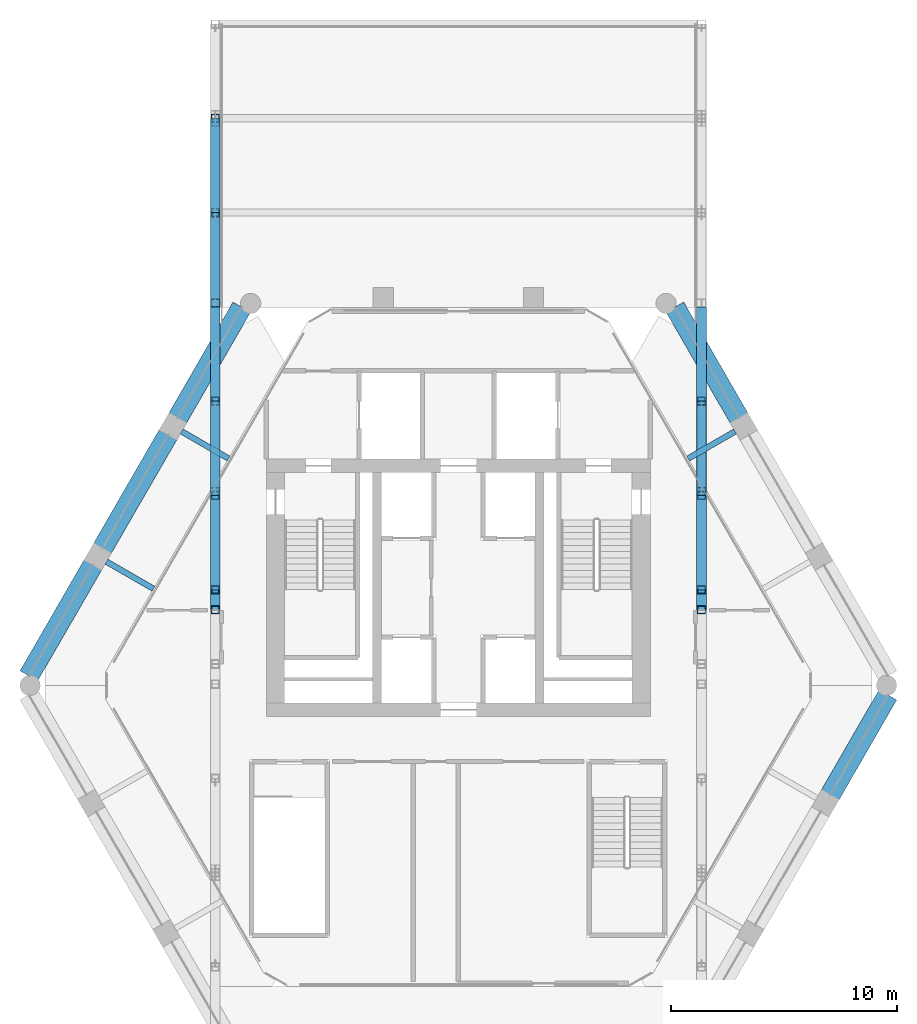
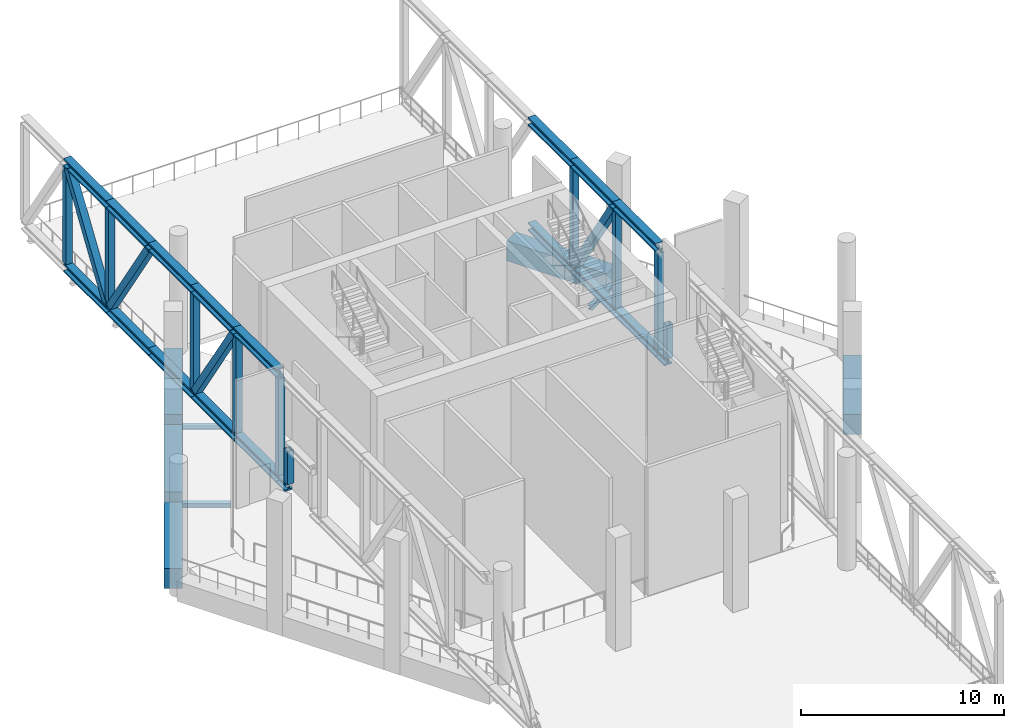
# One storey, part 3 of 14: 32 members, 8 beams.
"""IFC4 building model written with IfcOpenShell, lengths in metres."""

from ifc_helpers import new_model, si_unit, direction, frame, origin, origin_2d, place, context, subcontext, project, spatial, rectangle, hollow_rectangle, i_section, extrude, material, material_profile, profile_set, type_object, element, save


model = new_model("IFC4")

# Units and contexts
model_context = context("Model", 3, precision=1e-05, world=origin(), true_north=direction((0.0, 1.0)))
body_context = subcontext(model_context, "Body", "Model", "MODEL_VIEW")
ifc_project = project(units=[si_unit("LENGTHUNIT", "METRE"), si_unit("AREAUNIT", "SQUARE_METRE"), si_unit("VOLUMEUNIT", "CUBIC_METRE"), si_unit("PLANEANGLEUNIT", "RADIAN"), si_unit("MASSUNIT", "GRAM", prefix="KILO")], contexts=[model_context])

# Site, building, storey
site_placement = place(None, origin())
site = spatial("IfcSite", under=ifc_project, at=site_placement, CompositionType="ELEMENT")
building_placement = place(site_placement, origin())
building = spatial("IfcBuilding", under=site, at=building_placement, Name="Ostrander Bayou Hotel Tower", CompositionType="ELEMENT")
storey_placement = place(building_placement, frame((0.0, 0.0, 237.0)))
storey = spatial("IfcBuildingStorey", under=building, at=storey_placement, Name="L59", CompositionType="ELEMENT", Elevation=237.0)

# Beams
ifc_material_1 = material(Name="Steel ASTM A992", Category="steel")
ifc_material_profile_1 = material_profile(ifc_material_1, i_section(OverallWidth=0.25390625, OverallDepth=0.25341796875, WebThickness=0.008544921875, FlangeThickness=0.01416015625, at=origin_2d()))
ifc_profile_set_1 = profile_set([ifc_material_profile_1], Name="Steel ASTM A992")
beam_type_1 = type_object("IfcBeamType", Name="LB2 loggia bracket W10x49", PredefinedType="BEAM", material=ifc_profile_set_1)
for number, where, z_axis, x_axis, name in (
    (1, (-12.254638671875, 10.919677734375, -0.4267578125), (0.866024647952, -0.500001309137, 0.0), (0.500001309137, 0.866024647952, 0.0), "LB2 L59 NW1"),
    (2, (-15.583984375, 5.153076171875, -0.4267578125), (0.865980596518, -0.500077600433, 0.0), (0.500077600433, 0.865980596518, 0.0), "LB2 L59 NW2"),
    (3, (12.254638671875, 10.919677734375, -0.4267578125), (-0.866024647952, -0.500001309137, 0.0), (0.500001309137, -0.866024647952, 0.0), "LB2 L59 NE2"),
):
    element("IfcBeam", number, at=place(storey_placement, frame(where, z_axis=z_axis, x_axis=x_axis)), inside=storey, type_object=beam_type_1, Name=name, PredefinedType="BEAM", context=body_context, shape_type="SweptSolid", body=[
        extrude(i_section(OverallWidth=0.25390625, OverallDepth=0.25341796875, WebThickness=0.008544921875, FlangeThickness=0.01416015625, at=origin_2d()), origin(), (0.0, 0.0, 1.0), 2.39990234375),
    ])
ifc_material_2 = material(Name="Concrete f'c 60 MPa", Category="concrete")
ifc_material_profile_2 = material_profile(ifc_material_2, rectangle(XDim=0.89990234375, YDim=1.199951171875, at=origin_2d()))
ifc_profile_set_2 = profile_set([ifc_material_profile_2], Name="Concrete f'c 60 MPa")
beam_type_2 = type_object("IfcBeamType", Name="SP4 spandrel beam 900 x 1200 mm f'c 60 MPa", PredefinedType="SPANDREL", material=ifc_profile_set_2)
beam_1_placement = place(storey_placement, frame((-9.593994140625, 16.427978515625, -0.60009765625), z_axis=(-0.499994028088, -0.866028851642, 0.0), x_axis=(0.866028851642, -0.499994028088, 0.0)))
element("IfcBeam", 4, at=beam_1_placement, inside=storey, type_object=beam_type_2, Name="SP4 L59 NW-1", PredefinedType="SPANDREL", context=body_context, shape_type="SweptSolid", body=[
    extrude(rectangle(XDim=0.89990234375, YDim=1.199951171875, at=origin_2d()), origin(), (0.0, 0.0, 1.0), 5.6806640625),
])
beam_2_placement = place(storey_placement, frame((-12.8544921875, 10.781005859375, -0.60009765625), z_axis=(-0.499997265274, -0.866026982673, 0.0), x_axis=(0.866026982673, -0.499997265274, 0.0)))
element("IfcBeam", 5, at=beam_2_placement, inside=storey, type_object=beam_type_2, Name="SP4 L59 NW-2", PredefinedType="SPANDREL", context=body_context, shape_type="SweptSolid", body=[
    extrude(rectangle(XDim=0.89990234375, YDim=1.199951171875, at=origin_2d()), origin(), (0.0, 0.0, 1.0), 5.81884765625),
])
beam_3_placement = place(storey_placement, frame((-16.183837890625, 5.014404296875, -0.60009765625), z_axis=(-0.499994028088, -0.866028851642, 0.0), x_axis=(0.866028851642, -0.499994028088, 0.0)))
element("IfcBeam", 6, at=beam_3_placement, inside=storey, type_object=beam_type_2, Name="SP4 L59 NW-3", PredefinedType="SPANDREL", context=body_context, shape_type="SweptSolid", body=[
    extrude(rectangle(XDim=0.89990234375, YDim=1.199951171875, at=origin_2d()), origin(), (0.0, 0.0, 1.0), 5.6806640625),
])
beam_4_placement = place(storey_placement, frame((16.46728515625, -5.177978515625, -0.60009765625), z_axis=(0.499995206172, 0.866028171485, 0.0), x_axis=(-0.866028171485, 0.499995206172, 0.0)))
element("IfcBeam", 7, at=beam_4_placement, inside=storey, type_object=beam_type_2, Name="SP4 L59 SE-3", PredefinedType="SPANDREL", context=body_context, shape_type="SweptSolid", body=[
    extrude(rectangle(XDim=0.89990234375, YDim=1.199951171875, at=origin_2d()), origin(), (0.0, 0.0, 1.0), 5.11376953125),
])
beam_5_placement = place(storey_placement, frame((12.434326171875, 11.50830078125, -0.60009765625), z_axis=(-0.499994028088, 0.866028851642, 0.0), x_axis=(-0.866028851642, -0.499994028088, 0.0)))
element("IfcBeam", 8, at=beam_5_placement, inside=storey, type_object=beam_type_2, Name="SP4 L59 NE-3", PredefinedType="SPANDREL", context=body_context, shape_type="SweptSolid", body=[
    extrude(rectangle(XDim=0.89990234375, YDim=1.199951171875, at=origin_2d()), origin(), (0.0, 0.0, 1.0), 5.6806640625),
])

# Members
ifc_material_3 = material(Name="Steel ASTM A992", Category="steel")
ifc_material_profile_3 = material_profile(ifc_material_3, i_section(OverallWidth=0.43212890625, OverallDepth=0.497802734375, WebThickness=0.0556640625, FlangeThickness=0.0888671875, at=origin_2d()))
ifc_profile_set_3 = profile_set([ifc_material_profile_3], Name="Steel ASTM A992")
member_type_1 = type_object("IfcMemberType", Name="TT1 through-truss chord W14x500", PredefinedType="CHORD", material=ifc_profile_set_3)
for number, where, z_axis, x_axis, name in (
    (9, (-10.764892578125, 24.790283203125, 0.248779296875), (0.0, -1.0, 0.0), (1.0, 0.0, 0.0), "TT1 SB5A B2"),
    (10, (-10.764892578125, 24.790283203125, 6.551025390625), (0.0, -1.0, 0.0), (1.0, 0.0, 0.0), "TT1 SB5A T2"),
):
    element("IfcMember", number, at=place(storey_placement, frame(where, z_axis=z_axis, x_axis=x_axis)), inside=storey, type_object=member_type_1, Name=name, PredefinedType="CHORD", context=body_context, shape_type="SweptSolid", body=[
        extrude(i_section(OverallWidth=0.43212890625, OverallDepth=0.497802734375, WebThickness=0.0556640625, FlangeThickness=0.0888671875, at=origin_2d()), origin(), (0.0, 0.0, 1.0), 4.176025390625),
    ])
for number, where, z_axis, x_axis, name in (
    (11, (-10.764892578125, 20.6142578125, 0.248779296875), (0.0, -1.0, 0.0), (1.0, 0.0, 0.0), "TT1 SB5A B3"),
    (12, (-10.764892578125, 20.6142578125, 6.551025390625), (0.0, -1.0, 0.0), (1.0, 0.0, 0.0), "TT1 SB5A T3"),
    (13, (-10.764892578125, 16.43798828125, 0.248779296875), (0.0, -1.0, 0.0), (1.0, 0.0, 0.0), "TT1 SB5A B4"),
    (14, (-10.764892578125, 16.43798828125, 6.551025390625), (0.0, -1.0, 0.0), (1.0, 0.0, 0.0), "TT1 SB5A T4"),
):
    element("IfcMember", number, at=place(storey_placement, frame(where, z_axis=z_axis, x_axis=x_axis)), inside=storey, type_object=member_type_1, Name=name, PredefinedType="CHORD", context=body_context, shape_type="SweptSolid", body=[
        extrude(i_section(OverallWidth=0.43212890625, OverallDepth=0.497802734375, WebThickness=0.0556640625, FlangeThickness=0.0888671875, at=origin_2d()), origin(), (0.0, 0.0, 1.0), 4.17626953125),
    ])
for number, where, z_axis, x_axis, name in (
    (15, (-10.764892578125, 12.26171875, 0.248779296875), (0.0, -1.0, 0.0), (1.0, 0.0, 0.0), "TT1 SB5A B5"),
    (16, (-10.764892578125, 12.26171875, 6.551025390625), (0.0, -1.0, 0.0), (1.0, 0.0, 0.0), "TT1 SB5A T5"),
):
    element("IfcMember", number, at=place(storey_placement, frame(where, z_axis=z_axis, x_axis=x_axis)), inside=storey, type_object=member_type_1, Name=name, PredefinedType="CHORD", context=body_context, shape_type="SweptSolid", body=[
        extrude(i_section(OverallWidth=0.43212890625, OverallDepth=0.497802734375, WebThickness=0.0556640625, FlangeThickness=0.0888671875, at=origin_2d()), origin(), (0.0, 0.0, 1.0), 4.176025390625),
    ])
for number, where, z_axis, x_axis, name in (
    (17, (-10.764892578125, 8.085693359375, 0.248779296875), (0.0, -1.0, 0.0), (1.0, 0.0, 0.0), "TT1 SB5A B6"),
    (18, (-10.764892578125, 8.085693359375, 6.551025390625), (0.0, -1.0, 0.0), (1.0, 0.0, 0.0), "TT1 SB5A T6"),
):
    element("IfcMember", number, at=place(storey_placement, frame(where, z_axis=z_axis, x_axis=x_axis)), inside=storey, type_object=member_type_1, Name=name, PredefinedType="CHORD", context=body_context, shape_type="SweptSolid", body=[
        extrude(i_section(OverallWidth=0.43212890625, OverallDepth=0.497802734375, WebThickness=0.0556640625, FlangeThickness=0.0888671875, at=origin_2d()), origin(), (0.0, 0.0, 1.0), 4.17626953125),
    ])
member_1_placement = place(storey_placement, frame((-10.764892578125, 3.909423828125, 0.248779296875), z_axis=(0.0, -1.0, 0.0), x_axis=(1.0, 0.0, 0.0)))
element("IfcMember", 19, at=member_1_placement, inside=storey, type_object=member_type_1, Name="TT1 SB5A B7", PredefinedType="CHORD", context=body_context, shape_type="SweptSolid", body=[
    extrude(i_section(OverallWidth=0.43212890625, OverallDepth=0.497802734375, WebThickness=0.0556640625, FlangeThickness=0.0888671875, at=origin_2d()), origin(), (0.0, 0.0, 1.0), 0.887939453125),
])
for number, where, z_axis, x_axis, name in (
    (20, (10.764892578125, 16.43798828125, 0.248779296875), (0.0, -1.0, 0.0), (1.0, 0.0, 0.0), "TT1 SB5B B4"),
    (21, (10.764892578125, 16.43798828125, 6.551025390625), (0.0, -1.0, 0.0), (1.0, 0.0, 0.0), "TT1 SB5B T4"),
):
    element("IfcMember", number, at=place(storey_placement, frame(where, z_axis=z_axis, x_axis=x_axis)), inside=storey, type_object=member_type_1, Name=name, PredefinedType="CHORD", context=body_context, shape_type="SweptSolid", body=[
        extrude(i_section(OverallWidth=0.43212890625, OverallDepth=0.497802734375, WebThickness=0.0556640625, FlangeThickness=0.0888671875, at=origin_2d()), origin(), (0.0, 0.0, 1.0), 4.17626953125),
    ])
for number, where, z_axis, x_axis, name in (
    (22, (10.764892578125, 12.26171875, 0.248779296875), (0.0, -1.0, 0.0), (1.0, 0.0, 0.0), "TT1 SB5B B5"),
    (23, (10.764892578125, 12.26171875, 6.551025390625), (0.0, -1.0, 0.0), (1.0, 0.0, 0.0), "TT1 SB5B T5"),
):
    element("IfcMember", number, at=place(storey_placement, frame(where, z_axis=z_axis, x_axis=x_axis)), inside=storey, type_object=member_type_1, Name=name, PredefinedType="CHORD", context=body_context, shape_type="SweptSolid", body=[
        extrude(i_section(OverallWidth=0.43212890625, OverallDepth=0.497802734375, WebThickness=0.0556640625, FlangeThickness=0.0888671875, at=origin_2d()), origin(), (0.0, 0.0, 1.0), 4.176025390625),
    ])
for number, where, z_axis, x_axis, name in (
    (24, (10.764892578125, 8.085693359375, 0.248779296875), (0.0, -1.0, 0.0), (1.0, 0.0, 0.0), "TT1 SB5B B6"),
    (25, (10.764892578125, 8.085693359375, 6.551025390625), (0.0, -1.0, 0.0), (1.0, 0.0, 0.0), "TT1 SB5B T6"),
):
    element("IfcMember", number, at=place(storey_placement, frame(where, z_axis=z_axis, x_axis=x_axis)), inside=storey, type_object=member_type_1, Name=name, PredefinedType="CHORD", context=body_context, shape_type="SweptSolid", body=[
        extrude(i_section(OverallWidth=0.43212890625, OverallDepth=0.497802734375, WebThickness=0.0556640625, FlangeThickness=0.0888671875, at=origin_2d()), origin(), (0.0, 0.0, 1.0), 4.17626953125),
    ])
member_2_placement = place(storey_placement, frame((10.764892578125, 3.909423828125, 0.248779296875), z_axis=(0.0, -1.0, 0.0), x_axis=(1.0, 0.0, 0.0)))
element("IfcMember", 26, at=member_2_placement, inside=storey, type_object=member_type_1, Name="TT1 SB5B B7", PredefinedType="CHORD", context=body_context, shape_type="SweptSolid", body=[
    extrude(i_section(OverallWidth=0.43212890625, OverallDepth=0.497802734375, WebThickness=0.0556640625, FlangeThickness=0.0888671875, at=origin_2d()), origin(), (0.0, 0.0, 1.0), 0.887939453125),
])
ifc_material_4 = material(Name="Steel ASTM A500 Gr C", Category="steel")
ifc_material_profile_4 = material_profile(ifc_material_4, hollow_rectangle(XDim=0.355712890625, YDim=0.355712890625, WallThickness=0.0146484375, at=origin_2d()))
ifc_profile_set_4 = profile_set([ifc_material_profile_4], Name="Steel ASTM A500 Gr C")
member_type_2 = type_object("IfcMemberType", Name="TT2 through-truss post HSS14x14x5/8", PredefinedType="POST", material=ifc_profile_set_4)
for number, where, z_axis, x_axis, name in (
    (27, (-10.764892578125, 24.790283203125, 0.497802734375), (0.0, 0.0, 1.0), (1.0, 0.0, 0.0), "TT2 SB5A P2"),
    (28, (-10.764892578125, 20.6142578125, 0.497802734375), (0.0, 0.0, 1.0), (1.0, 0.0, 0.0), "TT2 SB5A P3"),
    (29, (-10.764892578125, 12.26171875, 0.497802734375), (0.0, 0.0, 1.0), (1.0, 0.0, 0.0), "TT2 SB5A P5"),
    (30, (-10.764892578125, 8.085693359375, 0.497802734375), (0.0, 0.0, 1.0), (1.0, 0.0, 0.0), "TT2 SB5A P6"),
    (31, (-10.764892578125, 3.909423828125, 0.497802734375), (0.0, 0.0, 1.0), (1.0, 0.0, 0.0), "TT2 SB5A P7"),
):
    element("IfcMember", number, at=place(storey_placement, frame(where, z_axis=z_axis, x_axis=x_axis)), inside=storey, type_object=member_type_2, Name=name, PredefinedType="POST", context=body_context, shape_type="SweptSolid", body=[
        extrude(hollow_rectangle(XDim=0.355712890625, YDim=0.355712890625, WallThickness=0.0146484375, at=origin_2d()), origin(), (0.0, 0.0, 1.0), 5.804443359375),
    ])
member_3_placement = place(storey_placement, frame((-10.764892578125, 3.021484375, 0.497802734375), z_axis=(0.0, 0.0, 1.0), x_axis=(1.0, 0.0, 0.0)))
element("IfcMember", 32, at=member_3_placement, inside=storey, type_object=member_type_2, Name="TT2 SB5A KN7a", PredefinedType="POST", context=body_context, shape_type="SweptSolid", body=[
    extrude(hollow_rectangle(XDim=0.355712890625, YDim=0.355712890625, WallThickness=0.0146484375, at=origin_2d()), origin(), (0.0, 0.0, 1.0), 2.002197265625),
])
for number, where, z_axis, x_axis, name in (
    (33, (10.764892578125, 12.26171875, 0.497802734375), (0.0, 0.0, 1.0), (1.0, 0.0, 0.0), "TT2 SB5B P5"),
    (34, (10.764892578125, 8.085693359375, 0.497802734375), (0.0, 0.0, 1.0), (1.0, 0.0, 0.0), "TT2 SB5B P6"),
    (35, (10.764892578125, 3.909423828125, 0.497802734375), (0.0, 0.0, 1.0), (1.0, 0.0, 0.0), "TT2 SB5B P7"),
):
    element("IfcMember", number, at=place(storey_placement, frame(where, z_axis=z_axis, x_axis=x_axis)), inside=storey, type_object=member_type_2, Name=name, PredefinedType="POST", context=body_context, shape_type="SweptSolid", body=[
        extrude(hollow_rectangle(XDim=0.355712890625, YDim=0.355712890625, WallThickness=0.0146484375, at=origin_2d()), origin(), (0.0, 0.0, 1.0), 5.804443359375),
    ])
member_4_placement = place(storey_placement, frame((10.764892578125, 3.021484375, 0.497802734375), z_axis=(0.0, 0.0, 1.0), x_axis=(1.0, 0.0, 0.0)))
element("IfcMember", 36, at=member_4_placement, inside=storey, type_object=member_type_2, Name="TT2 SB5B KN7a", PredefinedType="POST", context=body_context, shape_type="SweptSolid", body=[
    extrude(hollow_rectangle(XDim=0.355712890625, YDim=0.355712890625, WallThickness=0.0146484375, at=origin_2d()), origin(), (0.0, 0.0, 1.0), 2.002197265625),
])
ifc_material_5 = material(Name="Steel ASTM A572 Gr 50", Category="steel")
ifc_material_profile_5 = material_profile(ifc_material_5, hollow_rectangle(XDim=0.406494140625, YDim=0.406494140625, WallThickness=0.017822265625, at=origin_2d()))
ifc_profile_set_5 = profile_set([ifc_material_profile_5], Name="Steel ASTM A572 Gr 50")
member_type_3 = type_object("IfcMemberType", Name="TT3 through-truss diagonal box 16 x 16 x 3/4", PredefinedType="BRACE", material=ifc_profile_set_5)
for number, where, z_axis, x_axis, name in (
    (37, (-10.764892578125, 20.7919921875, 0.497802734375), (0.0, 0.549801680933, 0.835295224243), (-1.0, 0.0, 0.0), "TT3 SB5A D2"),
    (38, (-10.764892578125, 20.436279296875, 0.497802734375), (0.0, -0.549801680933, 0.835295224243), (1.0, 0.0, 0.0), "TT3 SB5A D3"),
    (39, (-10.764892578125, 12.083984375, 0.497802734375), (0.0, -0.549801680933, 0.835295224243), (1.0, 0.0, 0.0), "TT3 SB5A D5"),
    (40, (10.764892578125, 12.083984375, 0.497802734375), (0.0, -0.549801680933, 0.835295224243), (1.0, 0.0, 0.0), "TT3 SB5B D5"),
):
    element("IfcMember", number, at=place(storey_placement, frame(where, z_axis=z_axis, x_axis=x_axis)), inside=storey, type_object=member_type_3, Name=name, PredefinedType="BRACE", context=body_context, shape_type="SweptSolid", body=[
        extrude(hollow_rectangle(XDim=0.406494140625, YDim=0.406494140625, WallThickness=0.017822265625, at=origin_2d()), origin(), (0.0, 0.0, 1.0), 6.948974609375),
    ])

save(model, "model.ifc")
